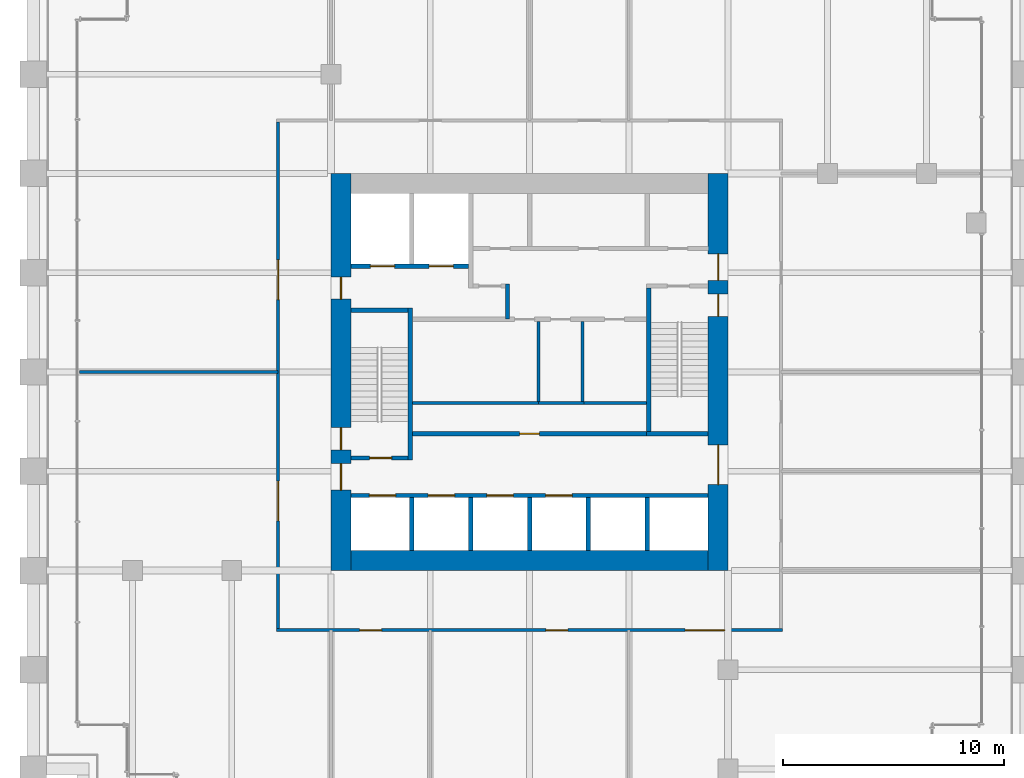
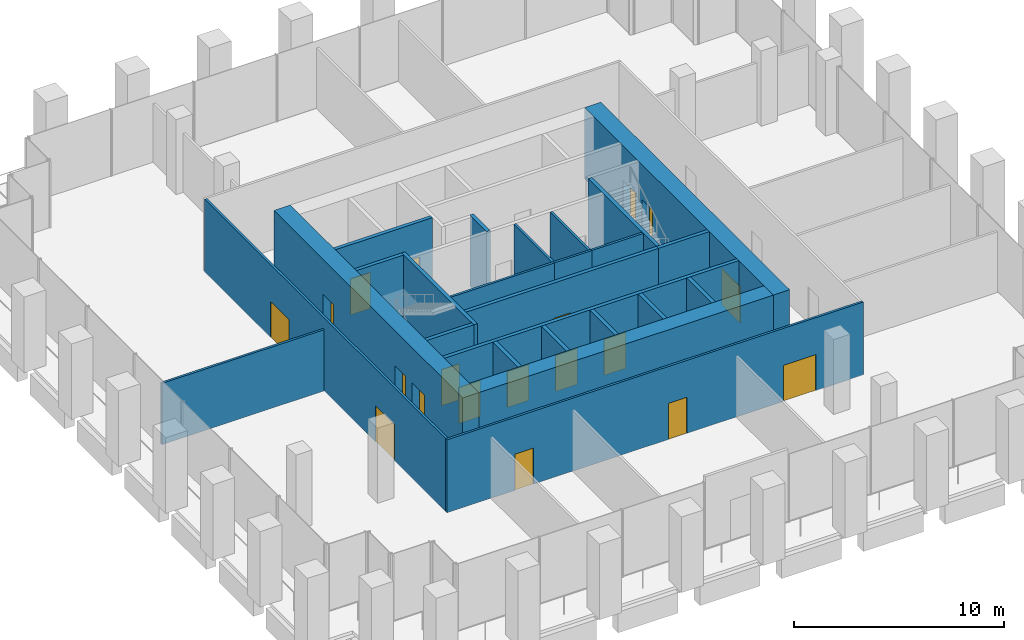
# One storey, part 30 of 36: 25 walls, 19 doors, 19 openings.
"""IFC4 building model written with IfcOpenShell, lengths in metres."""

from ifc_helpers import new_model, si_unit, direction, frame, frame_2d, origin, place, context, subcontext, project, spatial, rectangle, extrude, material, layer, layer_set, type_object, element, fill, save


model = new_model("IFC4")

# Units and contexts
model_context = context("Model", 3, precision=1e-05, world=origin(), true_north=direction((0.0, 1.0)))
body_context = subcontext(model_context, "Body", "Model", "MODEL_VIEW")
ifc_project = project(units=[si_unit("LENGTHUNIT", "METRE"), si_unit("AREAUNIT", "SQUARE_METRE"), si_unit("VOLUMEUNIT", "CUBIC_METRE"), si_unit("PLANEANGLEUNIT", "RADIAN"), si_unit("MASSUNIT", "GRAM", prefix="KILO")], contexts=[model_context])

# Site, building, storey
site_placement = place(None, origin())
site = spatial("IfcSite", under=ifc_project, at=site_placement, CompositionType="ELEMENT")
building_placement = place(site_placement, origin())
building = spatial("IfcBuilding", under=site, at=building_placement, Name="Altepetl Exchange Towers", CompositionType="ELEMENT")
storey_placement = place(building_placement, frame((0.0, 0.0, 43.0)))
storey = spatial("IfcBuildingStorey", under=building, at=storey_placement, Name="L09", CompositionType="ELEMENT", Elevation=43.0)

# Wall, openings, doors
ifc_material_1 = material(Name="Concrete C70/85", Category="concrete")
ifc_layer_1 = layer(ifc_material_1, 0.89990234375)
ifc_layer_set_1 = layer_set([ifc_layer_1], Name="Concrete C70/85")
wall_type_1 = type_object("IfcWallType", Name="Core wall 900 reinforced concrete", PredefinedType="SHEAR", material=ifc_layer_set_1)
wall_1_placement = place(storey_placement, frame((58.050048828125, 40.5, 0.0), z_axis=(0.0, 0.0, 1.0), x_axis=(0.0, 1.0, 0.0)))
wall_1 = element("IfcWall", 1, at=wall_1_placement, inside=storey, type_object=wall_type_1, Name="wall:A:L09:K-coreE", PredefinedType="SHEAR", context=body_context, shape_type="SweptSolid", body=[
    extrude(rectangle(XDim=18.0, YDim=0.89990234375, at=frame_2d((9.0, 0.0))), origin(), (0.0, 0.0, 1.0), 4.14990234375),
])
opening_1_placement = place(wall_1_placement, frame((13.14990234375, 0.0, 0.0)))
opening_1 = element("IfcOpeningElement", 2, at=opening_1_placement, cuts=wall_1, Name="Opening L09.A60", PredefinedType="OPENING", context=body_context, shape_type="SweptSolid", body=[
    extrude(rectangle(XDim=1.199951171875, YDim=2.10009765625, at=frame_2d((0.60009765625, 1.050048828125))), frame((0.0, 0.4599609375, 0.0), z_axis=(0.0, -1.0, 0.0), x_axis=(1.0, 0.0, 0.0)), (0.0, 0.0, 1.0), 0.919921875),
])
opening_2_placement = place(wall_1_placement, frame((3.89990234375, 0.0, 0.0)))
opening_2 = element("IfcOpeningElement", 3, at=opening_2_placement, cuts=wall_1, Name="Opening L09.A61", PredefinedType="OPENING", context=body_context, shape_type="SweptSolid", body=[
    extrude(rectangle(XDim=1.800048828125, YDim=2.10009765625, at=frame_2d((0.89990234375, 1.050048828125))), frame((0.0, 0.4599609375, 0.0), z_axis=(0.0, -1.0, 0.0), x_axis=(1.0, 0.0, 0.0)), (0.0, 0.0, 1.0), 0.919921875),
])
opening_3_placement = place(wall_1_placement, frame((11.52490234375, 0.0, 0.0)))
opening_3 = element("IfcOpeningElement", 4, at=opening_3_placement, cuts=wall_1, Name="Opening L09.A66", PredefinedType="OPENING", context=body_context, shape_type="SweptSolid", body=[
    extrude(rectangle(XDim=1.0, YDim=2.10009765625, at=frame_2d((0.5, 1.050048828125))), frame((0.0, 0.4599609375, 0.0), z_axis=(0.0, -1.0, 0.0), x_axis=(1.0, 0.0, 0.0)), (0.0, 0.0, 1.0), 0.919921875),
])
ifc_material_2 = material(Name="Steel and timber fire door", Category="steel")
door_type_1 = type_object("IfcDoorType", Name="Fire door 1000 x 2100 stair and lobby", OperationType="SINGLE_SWING_LEFT", PredefinedType="DOOR", material=ifc_material_2)
door_1_placement = place(opening_3_placement, origin())
door_1 = element("IfcDoor", 5, at=door_1_placement, inside=storey, type_object=door_type_1, Name="door:A:L09:K-dS2x", OperationType="SINGLE_SWING_RIGHT", OverallHeight=2.10009765625, OverallWidth=1.0, PredefinedType="DOOR", context=body_context, shape_type="SweptSolid", body=[
    extrude(rectangle(XDim=1.0, YDim=2.10009765625, at=frame_2d((0.5, 1.050048828125))), frame((0.0, 0.02490234375, 0.0), z_axis=(0.0, -1.0, 0.0), x_axis=(1.0, 0.0, 0.0)), (0.0, 0.0, 1.0), 0.050048828125),
])
fill(opening_3, door_1)
door_type_2 = type_object("IfcDoorType", Name="Fire door 1200 x 2100 lobby entry", OperationType="SINGLE_SWING_LEFT", PredefinedType="DOOR", material=ifc_material_2)
door_2_placement = place(opening_1_placement, origin())
door_2 = element("IfcDoor", 6, at=door_2_placement, inside=storey, type_object=door_type_2, Name="door:A:L09:K-dLNE", OperationType="SINGLE_SWING_RIGHT", OverallHeight=2.10009765625, OverallWidth=1.199951171875, PredefinedType="DOOR", context=body_context, shape_type="SweptSolid", body=[
    extrude(rectangle(XDim=1.199951171875, YDim=2.10009765625, at=frame_2d((0.60009765625, 1.050048828125))), frame((0.0, 0.02490234375, 0.0), z_axis=(0.0, -1.0, 0.0), x_axis=(1.0, 0.0, 0.0)), (0.0, 0.0, 1.0), 0.050048828125),
])
fill(opening_1, door_2)
door_type_3 = type_object("IfcDoorType", Name="Fire door 1800 x 2100 lobby entry", OperationType="DOUBLE_DOOR_SINGLE_SWING", PredefinedType="DOOR", material=ifc_material_2)
door_3_placement = place(opening_2_placement, origin())
door_3 = element("IfcDoor", 7, at=door_3_placement, inside=storey, type_object=door_type_3, Name="door:A:L09:K-dLSE", OperationType="DOUBLE_DOOR_SINGLE_SWING", OverallHeight=2.10009765625, OverallWidth=1.800048828125, PredefinedType="DOOR", context=body_context, shape_type="SweptSolid", body=[
    extrude(rectangle(XDim=1.800048828125, YDim=2.10009765625, at=frame_2d((0.89990234375, 1.050048828125))), frame((0.0, 0.02490234375, 0.0), z_axis=(0.0, -1.0, 0.0), x_axis=(1.0, 0.0, 0.0)), (0.0, 0.0, 1.0), 0.050048828125),
])
fill(opening_2, door_3)

# Wall
wall_2_placement = place(storey_placement, frame((41.39990234375, 40.949951171875, 0.0)))
element("IfcWall", 8, at=wall_2_placement, inside=storey, type_object=wall_type_1, Name="wall:A:L09:K-coreS", PredefinedType="SHEAR", context=body_context, shape_type="SweptSolid", body=[
    extrude(rectangle(XDim=16.2001953125, YDim=0.89990234375, at=frame_2d((8.10009765625, 0.0))), origin(), (0.0, 0.0, 1.0), 4.14990234375),
])

# Wall, openings, doors
wall_3_placement = place(storey_placement, frame((40.949951171875, 40.5, 0.0), z_axis=(0.0, 0.0, 1.0), x_axis=(0.0, 1.0, 0.0)))
wall_3 = element("IfcWall", 9, at=wall_3_placement, inside=storey, type_object=wall_type_1, Name="wall:A:L09:K-coreW", PredefinedType="SHEAR", context=body_context, shape_type="SweptSolid", body=[
    extrude(rectangle(XDim=18.0, YDim=0.89990234375, at=frame_2d((9.0, 0.0))), origin(), (0.0, 0.0, 1.0), 4.14990234375),
])
opening_4_placement = place(wall_3_placement, frame((3.64990234375, 0.0, 0.0)))
opening_4 = element("IfcOpeningElement", 10, at=opening_4_placement, cuts=wall_3, Name="Opening L09.A62", PredefinedType="OPENING", context=body_context, shape_type="SweptSolid", body=[
    extrude(rectangle(XDim=1.199951171875, YDim=2.10009765625, at=frame_2d((0.60009765625, 1.050048828125))), frame((0.0, 0.4599609375, 0.0), z_axis=(0.0, -1.0, 0.0), x_axis=(1.0, 0.0, 0.0)), (0.0, 0.0, 1.0), 0.919921875),
])
opening_5_placement = place(wall_3_placement, frame((5.47509765625, 0.0, 0.0)))
opening_5 = element("IfcOpeningElement", 11, at=opening_5_placement, cuts=wall_3, Name="Opening L09.A64", PredefinedType="OPENING", context=body_context, shape_type="SweptSolid", body=[
    extrude(rectangle(XDim=1.0, YDim=2.10009765625, at=frame_2d((0.5, 1.050048828125))), frame((0.0, 0.4599609375, 0.0), z_axis=(0.0, -1.0, 0.0), x_axis=(1.0, 0.0, 0.0)), (0.0, 0.0, 1.0), 0.919921875),
])
opening_6_placement = place(wall_3_placement, frame((12.300048828125, 0.0, 0.0)))
opening_6 = element("IfcOpeningElement", 12, at=opening_6_placement, cuts=wall_3, Name="Opening L09.A68", PredefinedType="OPENING", context=body_context, shape_type="SweptSolid", body=[
    extrude(rectangle(XDim=1.0, YDim=2.10009765625, at=frame_2d((0.5, 1.050048828125))), frame((0.0, 0.4599609375, 0.0), z_axis=(0.0, -1.0, 0.0), x_axis=(1.0, 0.0, 0.0)), (0.0, 0.0, 1.0), 0.919921875),
])
door_4_placement = place(opening_5_placement, frame((1.0, 0.0, 0.0), x_axis=(-1.0, 0.0, 0.0)))
door_4 = element("IfcDoor", 13, at=door_4_placement, inside=storey, type_object=door_type_1, Name="door:A:L09:K-dS1x", OperationType="SINGLE_SWING_RIGHT", OverallHeight=2.10009765625, OverallWidth=1.0, PredefinedType="DOOR", context=body_context, shape_type="SweptSolid", body=[
    extrude(rectangle(XDim=1.0, YDim=2.10009765625, at=frame_2d((0.5, 1.050048828125))), frame((0.0, 0.02490234375, 0.0), z_axis=(0.0, -1.0, 0.0), x_axis=(1.0, 0.0, 0.0)), (0.0, 0.0, 1.0), 0.050048828125),
])
fill(opening_5, door_4)
door_5_placement = place(opening_6_placement, frame((1.0, 0.0, 0.0), x_axis=(-1.0, 0.0, 0.0)))
door_5 = element("IfcDoor", 14, at=door_5_placement, inside=storey, type_object=door_type_1, Name="door:A:L09:K-dffW", OperationType="SINGLE_SWING_LEFT", OverallHeight=2.10009765625, OverallWidth=1.0, PredefinedType="DOOR", context=body_context, shape_type="SweptSolid", body=[
    extrude(rectangle(XDim=1.0, YDim=2.10009765625, at=frame_2d((0.5, 1.050048828125))), frame((0.0, 0.02490234375, 0.0), z_axis=(0.0, -1.0, 0.0), x_axis=(1.0, 0.0, 0.0)), (0.0, 0.0, 1.0), 0.050048828125),
])
fill(opening_6, door_5)
door_6_placement = place(opening_4_placement, frame((1.199951171875, 0.0, 0.0), x_axis=(-1.0, 0.0, 0.0)))
door_6 = element("IfcDoor", 15, at=door_6_placement, inside=storey, type_object=door_type_2, Name="door:A:L09:K-dLSW", OperationType="SINGLE_SWING_LEFT", OverallHeight=2.10009765625, OverallWidth=1.199951171875, PredefinedType="DOOR", context=body_context, shape_type="SweptSolid", body=[
    extrude(rectangle(XDim=1.199951171875, YDim=2.10009765625, at=frame_2d((0.60009765625, 1.050048828125))), frame((0.0, 0.02490234375, 0.0), z_axis=(0.0, -1.0, 0.0), x_axis=(1.0, 0.0, 0.0)), (0.0, 0.0, 1.0), 0.050048828125),
])
fill(opening_4, door_6)

# Wall
ifc_material_3 = material(Name="Concrete blockwork", Category="masonry")
ifc_layer_2 = layer(ifc_material_3, 0.199951171875)
ifc_layer_set_2 = layer_set([ifc_layer_2], Name="Concrete blockwork")
wall_type_2 = type_object("IfcWallType", Name="Lobby wall 200 blockwork", PredefinedType="PARTITIONING", material=ifc_layer_set_2)
wall_4_placement = place(storey_placement, frame((48.5, 51.89990234375, 0.0), z_axis=(0.0, 0.0, 1.0), x_axis=(0.0, 1.0, 0.0)))
element("IfcWall", 16, at=wall_4_placement, inside=storey, type_object=wall_type_2, Name="wall:A:L09:K-ffE", PredefinedType="PARTITIONING", context=body_context, shape_type="SweptSolid", body=[
    extrude(rectangle(XDim=1.60009765625, YDim=0.199951171875, at=frame_2d((0.800048828125, 0.0))), origin(), (0.0, 0.0, 1.0), 4.14990234375),
])

# Wall, opening, door
wall_5_placement = place(storey_placement, frame((44.199951171875, 46.699951171875, 0.0)))
wall_5 = element("IfcWall", 17, at=wall_5_placement, inside=storey, type_object=wall_type_2, Name="wall:A:L09:K-zoneS", PredefinedType="PARTITIONING", context=body_context, shape_type="SweptSolid", body=[
    extrude(rectangle(XDim=10.60009765625, YDim=0.199951171875, at=frame_2d((5.300048828125, 0.0))), origin(), (0.0, 0.0, 1.0), 4.14990234375),
])
opening_7_placement = place(wall_5_placement, frame((4.85009765625, 0.0, 0.0)))
opening_7 = element("IfcOpeningElement", 18, at=opening_7_placement, cuts=wall_5, Name="Opening L09.A72", PredefinedType="OPENING", context=body_context, shape_type="SweptSolid", body=[
    extrude(rectangle(XDim=0.89990234375, YDim=2.10009765625, at=frame_2d((0.449951171875, 1.050048828125))), frame((0.0, 0.10986328125, 0.0), z_axis=(0.0, -1.0, 0.0), x_axis=(1.0, 0.0, 0.0)), (0.0, 0.0, 1.0), 0.219970703125),
])
door_type_4 = type_object("IfcDoorType", Name="Fire door 900 x 2100 service room", OperationType="SINGLE_SWING_LEFT", PredefinedType="DOOR", material=ifc_material_2)
door_7_placement = place(opening_7_placement, origin())
door_7 = element("IfcDoor", 19, at=door_7_placement, inside=storey, type_object=door_type_4, Name="door:A:L09:K-dz1", OperationType="SINGLE_SWING_LEFT", OverallHeight=2.10009765625, OverallWidth=0.89990234375, PredefinedType="DOOR", context=body_context, shape_type="SweptSolid", body=[
    extrude(rectangle(XDim=0.89990234375, YDim=2.10009765625, at=frame_2d((0.449951171875, 1.050048828125))), frame((0.0, 0.02490234375, 0.0), z_axis=(0.0, -1.0, 0.0), x_axis=(1.0, 0.0, 0.0)), (0.0, 0.0, 1.0), 0.050048828125),
])
fill(opening_7, door_7)

# Walls
ifc_material_4 = material(Name="Gypsum board on steel studs", Category="steel")
ifc_layer_3 = layer(ifc_material_4, 0.125)
ifc_layer_set_3 = layer_set([ifc_layer_3], Name="Gypsum board on steel studs")
wall_type_3 = type_object("IfcWallType", Name="Partition 125 gypsum board on steel studs", PredefinedType="PARTITIONING", material=ifc_layer_set_3)
wall_6_placement = place(storey_placement, frame((49.96240234375, 48.10009765625, 0.0), z_axis=(0.0, 0.0, 1.0), x_axis=(-1.0, 0.0, 0.0)))
element("IfcWall", 20, at=wall_6_placement, inside=storey, type_object=wall_type_3, Name="wall:A:L09:K-zp1", PredefinedType="PARTITIONING", context=body_context, shape_type="SweptSolid", body=[
    extrude(rectangle(XDim=5.762451171875, YDim=0.125, at=frame_2d((2.88134765625, 0.0))), origin(), (0.0, 0.0, 1.0), 4.14990234375),
])
wall_7_placement = place(storey_placement, frame((51.96240234375, 48.10009765625, 0.0), z_axis=(0.0, 0.0, 1.0), x_axis=(-1.0, 0.0, 0.0)))
element("IfcWall", 21, at=wall_7_placement, inside=storey, type_object=wall_type_3, Name="wall:A:L09:K-zp2", PredefinedType="PARTITIONING", context=body_context, shape_type="SweptSolid", body=[
    extrude(rectangle(XDim=2.0625, YDim=0.125, at=frame_2d((1.03125, 0.0))), origin(), (0.0, 0.0, 1.0), 4.14990234375),
])
wall_8_placement = place(storey_placement, frame((49.89990234375, 48.16259765625, 0.0), z_axis=(0.0, 0.0, 1.0), x_axis=(0.0, 1.0, 0.0)))
element("IfcWall", 22, at=wall_8_placement, inside=storey, type_object=wall_type_3, Name="wall:A:L09:K-zp3", PredefinedType="PARTITIONING", context=body_context, shape_type="SweptSolid", body=[
    extrude(rectangle(XDim=3.637451171875, YDim=0.125, at=frame_2d((1.81884765625, 0.0))), origin(), (0.0, 0.0, 1.0), 4.14990234375),
])
wall_9_placement = place(storey_placement, frame((54.800048828125, 48.10009765625, 0.0), z_axis=(0.0, 0.0, 1.0), x_axis=(-1.0, 0.0, 0.0)))
element("IfcWall", 23, at=wall_9_placement, inside=storey, type_object=wall_type_3, Name="wall:A:L09:K-zp4", PredefinedType="PARTITIONING", context=body_context, shape_type="SweptSolid", body=[
    extrude(rectangle(XDim=2.900146484375, YDim=0.125, at=frame_2d((1.4501953125, 0.0))), origin(), (0.0, 0.0, 1.0), 4.14990234375),
])
wall_10_placement = place(storey_placement, frame((51.89990234375, 48.16259765625, 0.0), z_axis=(0.0, 0.0, 1.0), x_axis=(0.0, 1.0, 0.0)))
element("IfcWall", 24, at=wall_10_placement, inside=storey, type_object=wall_type_3, Name="wall:A:L09:K-zp5", PredefinedType="PARTITIONING", context=body_context, shape_type="SweptSolid", body=[
    extrude(rectangle(XDim=3.637451171875, YDim=0.125, at=frame_2d((1.81884765625, 0.0))), origin(), (0.0, 0.0, 1.0), 4.14990234375),
])

# Wall, openings, doors
wall_11_placement = place(storey_placement, frame((38.03759765625, 37.800048828125, 0.0)))
wall_11 = element("IfcWall", 25, at=wall_11_placement, inside=storey, type_object=wall_type_3, Name="wall:A:L09:P01", PredefinedType="PARTITIONING", context=body_context, shape_type="SweptSolid", body=[
    extrude(rectangle(XDim=22.9248046875, YDim=0.125, at=frame_2d((11.46240234375, 0.0))), origin(), (0.0, 0.0, 1.0), 4.25),
])
opening_8_placement = place(wall_11_placement, frame((3.757568359375, 0.0, 0.0)))
opening_8 = element("IfcOpeningElement", 26, at=opening_8_placement, cuts=wall_11, Name="Opening L09.A02", PredefinedType="OPENING", context=body_context, shape_type="SweptSolid", body=[
    extrude(rectangle(XDim=1.0, YDim=2.10009765625, at=frame_2d((0.5, 1.050048828125))), frame((0.0, 0.072509765625, 0.0), z_axis=(0.0, -1.0, 0.0), x_axis=(1.0, 0.0, 0.0)), (0.0, 0.0, 1.0), 0.14501953125),
])
opening_9_placement = place(wall_11_placement, frame((12.20458984375, 0.0, 0.0)))
opening_9 = element("IfcOpeningElement", 27, at=opening_9_placement, cuts=wall_11, Name="Opening L09.A03", PredefinedType="OPENING", context=body_context, shape_type="SweptSolid", body=[
    extrude(rectangle(XDim=1.0, YDim=2.10009765625, at=frame_2d((0.5, 1.050048828125))), frame((0.0, 0.072509765625, 0.0), z_axis=(0.0, -1.0, 0.0), x_axis=(1.0, 0.0, 0.0)), (0.0, 0.0, 1.0), 0.14501953125),
])
opening_10_placement = place(wall_11_placement, frame((18.512451171875, 0.0, 0.0)))
opening_10 = element("IfcOpeningElement", 28, at=opening_10_placement, cuts=wall_11, Name="Opening L09.A04", PredefinedType="OPENING", context=body_context, shape_type="SweptSolid", body=[
    extrude(rectangle(XDim=1.800048828125, YDim=2.10009765625, at=frame_2d((0.89990234375, 1.050048828125))), frame((0.0, 0.072509765625, 0.0), z_axis=(0.0, -1.0, 0.0), x_axis=(1.0, 0.0, 0.0)), (0.0, 0.0, 1.0), 0.14501953125),
])
door_type_5 = type_object("IfcDoorType", Name="Fire door 1000 x 2100 single leaf", OperationType="SINGLE_SWING_LEFT", PredefinedType="DOOR", material=ifc_material_2)
door_8_placement = place(opening_8_placement, frame((1.0, 0.0, 0.0), x_axis=(-1.0, 0.0, 0.0)))
door_8 = element("IfcDoor", 29, at=door_8_placement, inside=storey, type_object=door_type_5, Name="door:A:L09:02", OperationType="SINGLE_SWING_RIGHT", OverallHeight=2.10009765625, OverallWidth=1.0, PredefinedType="DOOR", context=body_context, shape_type="SweptSolid", body=[
    extrude(rectangle(XDim=1.0, YDim=2.10009765625, at=frame_2d((0.5, 1.050048828125))), frame((0.0, 0.02490234375, 0.0), z_axis=(0.0, -1.0, 0.0), x_axis=(1.0, 0.0, 0.0)), (0.0, 0.0, 1.0), 0.050048828125),
])
fill(opening_8, door_8)
door_9_placement = place(opening_9_placement, frame((1.0, 0.0, 0.0), x_axis=(-1.0, 0.0, 0.0)))
door_9 = element("IfcDoor", 30, at=door_9_placement, inside=storey, type_object=door_type_5, Name="door:A:L09:03", OperationType="SINGLE_SWING_LEFT", OverallHeight=2.10009765625, OverallWidth=1.0, PredefinedType="DOOR", context=body_context, shape_type="SweptSolid", body=[
    extrude(rectangle(XDim=1.0, YDim=2.10009765625, at=frame_2d((0.5, 1.050048828125))), frame((0.0, 0.02490234375, 0.0), z_axis=(0.0, -1.0, 0.0), x_axis=(1.0, 0.0, 0.0)), (0.0, 0.0, 1.0), 0.050048828125),
])
fill(opening_9, door_9)
door_type_6 = type_object("IfcDoorType", Name="Fire door 1800 x 2100 double leaf", OperationType="DOUBLE_DOOR_SINGLE_SWING", PredefinedType="DOOR", material=ifc_material_2)
door_10_placement = place(opening_10_placement, frame((1.800048828125, 0.0, 0.0), x_axis=(-1.0, 0.0, 0.0)))
door_10 = element("IfcDoor", 31, at=door_10_placement, inside=storey, type_object=door_type_6, Name="door:A:L09:04", OperationType="DOUBLE_DOOR_SINGLE_SWING", OverallHeight=2.10009765625, OverallWidth=1.800048828125, PredefinedType="DOOR", context=body_context, shape_type="SweptSolid", body=[
    extrude(rectangle(XDim=1.800048828125, YDim=2.10009765625, at=frame_2d((0.89990234375, 1.050048828125))), frame((0.0, 0.02490234375, 0.0), z_axis=(0.0, -1.0, 0.0), x_axis=(1.0, 0.0, 0.0)), (0.0, 0.0, 1.0), 0.050048828125),
])
fill(opening_10, door_10)

# Wall
wall_12_placement = place(storey_placement, frame((29.10009765625, 49.5, 0.0)))
element("IfcWall", 32, at=wall_12_placement, inside=storey, type_object=wall_type_3, Name="wall:A:L09:P04", PredefinedType="PARTITIONING", context=body_context, shape_type="SweptSolid", body=[
    extrude(rectangle(XDim=9.0, YDim=0.125, at=frame_2d((4.5, 0.0))), origin(), (0.0, 0.0, 1.0), 3.56591796875),
])

# Wall, openings, doors
wall_13_placement = place(storey_placement, frame((38.10009765625, 37.862548828125, 0.0), z_axis=(0.0, 0.0, 1.0), x_axis=(0.0, 1.0, 0.0)))
wall_13 = element("IfcWall", 33, at=wall_13_placement, inside=storey, type_object=wall_type_3, Name="wall:A:L09:P10", PredefinedType="PARTITIONING", context=body_context, shape_type="SweptSolid", body=[
    extrude(rectangle(XDim=22.974853515625, YDim=0.125, at=frame_2d((11.4873046875, 0.0))), origin(), (0.0, 0.0, 1.0), 4.25),
])
opening_11_placement = place(wall_13_placement, frame((4.887451171875, 0.0, 0.0)))
opening_11 = element("IfcOpeningElement", 34, at=opening_11_placement, cuts=wall_13, Name="Opening L09.A01", PredefinedType="OPENING", context=body_context, shape_type="SweptSolid", body=[
    extrude(rectangle(XDim=1.800048828125, YDim=2.10009765625, at=frame_2d((0.89990234375, 1.050048828125))), frame((0.0, 0.072509765625, 0.0), z_axis=(0.0, -1.0, 0.0), x_axis=(1.0, 0.0, 0.0)), (0.0, 0.0, 1.0), 0.14501953125),
])
opening_12_placement = place(wall_13_placement, frame((14.91552734375, 0.0, 0.0)))
opening_12 = element("IfcOpeningElement", 35, at=opening_12_placement, cuts=wall_13, Name="Opening L09.A11", PredefinedType="OPENING", context=body_context, shape_type="SweptSolid", body=[
    extrude(rectangle(XDim=1.800048828125, YDim=2.10009765625, at=frame_2d((0.89990234375, 1.050048828125))), frame((0.0, 0.072509765625, 0.0), z_axis=(0.0, -1.0, 0.0), x_axis=(1.0, 0.0, 0.0)), (0.0, 0.0, 1.0), 0.14501953125),
])
door_11_placement = place(opening_11_placement, origin())
door_11 = element("IfcDoor", 36, at=door_11_placement, inside=storey, type_object=door_type_6, Name="door:A:L09:01", OperationType="DOUBLE_DOOR_SINGLE_SWING", OverallHeight=2.10009765625, OverallWidth=1.800048828125, PredefinedType="DOOR", context=body_context, shape_type="SweptSolid", body=[
    extrude(rectangle(XDim=1.800048828125, YDim=2.10009765625, at=frame_2d((0.89990234375, 1.050048828125))), frame((0.0, 0.02490234375, 0.0), z_axis=(0.0, -1.0, 0.0), x_axis=(1.0, 0.0, 0.0)), (0.0, 0.0, 1.0), 0.050048828125),
])
fill(opening_11, door_11)
door_12_placement = place(opening_12_placement, origin())
door_12 = element("IfcDoor", 37, at=door_12_placement, inside=storey, type_object=door_type_6, Name="door:A:L09:11", OperationType="DOUBLE_DOOR_SINGLE_SWING", OverallHeight=2.10009765625, OverallWidth=1.800048828125, PredefinedType="DOOR", context=body_context, shape_type="SweptSolid", body=[
    extrude(rectangle(XDim=1.800048828125, YDim=2.10009765625, at=frame_2d((0.89990234375, 1.050048828125))), frame((0.0, 0.02490234375, 0.0), z_axis=(0.0, -1.0, 0.0), x_axis=(1.0, 0.0, 0.0)), (0.0, 0.0, 1.0), 0.050048828125),
])
fill(opening_12, door_12)

# Walls
ifc_material_5 = material(Name="Concrete C40/50", Category="concrete")
ifc_layer_4 = layer(ifc_material_5, 0.199951171875)
ifc_layer_set_4 = layer_set([ifc_layer_4], Name="Concrete C40/50")
wall_type_4 = type_object("IfcWallType", Name="Shaft wall 200 reinforced concrete", PredefinedType="SHEAR", material=ifc_layer_set_4)
for number, where, z_axis, x_axis, name in (
    (38, (44.166748046875, 41.39990234375, 0.0), (0.0, 0.0, 1.0), (0.0, 1.0, 0.0), "wall:A:L09:K-divS1"),
    (39, (46.833251953125, 41.39990234375, 0.0), (0.0, 0.0, 1.0), (0.0, 1.0, 0.0), "wall:A:L09:K-divS2"),
    (40, (49.5, 41.39990234375, 0.0), (0.0, 0.0, 1.0), (0.0, 1.0, 0.0), "wall:A:L09:K-divS3"),
    (41, (52.166748046875, 41.39990234375, 0.0), (0.0, 0.0, 1.0), (0.0, 1.0, 0.0), "wall:A:L09:K-divS4"),
    (42, (54.833251953125, 41.39990234375, 0.0), (0.0, 0.0, 1.0), (0.0, 1.0, 0.0), "wall:A:L09:K-divS5"),
):
    element("IfcWall", number, at=place(storey_placement, frame(where, z_axis=z_axis, x_axis=x_axis)), inside=storey, type_object=wall_type_4, Name=name, PredefinedType="SHEAR", context=body_context, shape_type="SweptSolid", body=[
        extrude(rectangle(XDim=2.400146484375, YDim=0.199951171875, at=frame_2d((1.2001953125, 0.0))), origin(), (0.0, 0.0, 1.0), 4.14990234375),
    ])

# Wall, openings, doors
wall_14_placement = place(storey_placement, frame((41.39990234375, 54.300048828125, 0.0)))
wall_14 = element("IfcWall", 43, at=wall_14_placement, inside=storey, type_object=wall_type_4, Name="wall:A:L09:K-frontNd", PredefinedType="SHEAR", context=body_context, shape_type="SweptSolid", body=[
    extrude(rectangle(XDim=5.33349609375, YDim=0.199951171875, at=frame_2d((2.666748046875, 0.0))), origin(), (0.0, 0.0, 1.0), 4.14990234375),
])
opening_13_placement = place(wall_14_placement, frame((0.88330078125, 0.0, 0.0)))
opening_13 = element("IfcOpeningElement", 44, at=opening_13_placement, cuts=wall_14, Name="Opening L09.A76", PredefinedType="OPENING", context=body_context, shape_type="SweptSolid", body=[
    extrude(rectangle(XDim=1.10009765625, YDim=2.10009765625, at=frame_2d((0.550048828125, 1.050048828125))), frame((0.0, 0.10986328125, 0.0), z_axis=(0.0, -1.0, 0.0), x_axis=(1.0, 0.0, 0.0)), (0.0, 0.0, 1.0), 0.219970703125),
])
opening_14_placement = place(wall_14_placement, frame((3.550048828125, 0.0, 0.0)))
opening_14 = element("IfcOpeningElement", 45, at=opening_14_placement, cuts=wall_14, Name="Opening L09.A77", PredefinedType="OPENING", context=body_context, shape_type="SweptSolid", body=[
    extrude(rectangle(XDim=1.10009765625, YDim=2.10009765625, at=frame_2d((0.550048828125, 1.050048828125))), frame((0.0, 0.10986328125, 0.0), z_axis=(0.0, -1.0, 0.0), x_axis=(1.0, 0.0, 0.0)), (0.0, 0.0, 1.0), 0.219970703125),
])
ifc_material_6 = material(Name="Stainless steel", Category="steel")
door_type_7 = type_object("IfcDoorType", Name="Lift landing door 1100 x 2100", OperationType="SLIDING_TO_LEFT", PredefinedType="DOOR", material=ifc_material_6)
door_13_placement = place(opening_13_placement, origin())
door_13 = element("IfcDoor", 46, at=door_13_placement, inside=storey, type_object=door_type_7, Name="Landing door FFL1", OperationType="SLIDING_TO_LEFT", OverallHeight=2.10009765625, OverallWidth=1.10009765625, PredefinedType="DOOR", context=body_context, shape_type="SweptSolid", body=[
    extrude(rectangle(XDim=1.10009765625, YDim=2.10009765625, at=frame_2d((0.550048828125, 1.050048828125))), frame((0.0, 0.02490234375, 0.0), z_axis=(0.0, -1.0, 0.0), x_axis=(1.0, 0.0, 0.0)), (0.0, 0.0, 1.0), 0.050048828125),
])
fill(opening_13, door_13)
door_14_placement = place(opening_14_placement, origin())
door_14 = element("IfcDoor", 47, at=door_14_placement, inside=storey, type_object=door_type_7, Name="Landing door FFL2", OperationType="SLIDING_TO_LEFT", OverallHeight=2.10009765625, OverallWidth=1.10009765625, PredefinedType="DOOR", context=body_context, shape_type="SweptSolid", body=[
    extrude(rectangle(XDim=1.10009765625, YDim=2.10009765625, at=frame_2d((0.550048828125, 1.050048828125))), frame((0.0, 0.02490234375, 0.0), z_axis=(0.0, -1.0, 0.0), x_axis=(1.0, 0.0, 0.0)), (0.0, 0.0, 1.0), 0.050048828125),
])
fill(opening_14, door_14)

wall_15_placement = place(storey_placement, frame((41.39990234375, 43.89990234375, 0.0)))
wall_15 = element("IfcWall", 48, at=wall_15_placement, inside=storey, type_object=wall_type_4, Name="wall:A:L09:K-frontS", PredefinedType="SHEAR", context=body_context, shape_type="SweptSolid", body=[
    extrude(rectangle(XDim=16.2001953125, YDim=0.199951171875, at=frame_2d((8.10009765625, 0.0))), origin(), (0.0, 0.0, 1.0), 4.14990234375),
])
opening_15_placement = place(wall_15_placement, frame((0.833251953125, 0.0, 0.0)))
opening_15 = element("IfcOpeningElement", 49, at=opening_15_placement, cuts=wall_15, Name="Opening L09.A78", PredefinedType="OPENING", context=body_context, shape_type="SweptSolid", body=[
    extrude(rectangle(XDim=1.199951171875, YDim=2.10009765625, at=frame_2d((0.60009765625, 1.050048828125))), frame((0.0, 0.10986328125, 0.0), z_axis=(0.0, -1.0, 0.0), x_axis=(1.0, 0.0, 0.0)), (0.0, 0.0, 1.0), 0.219970703125),
])
opening_16_placement = place(wall_15_placement, frame((3.5, 0.0, 0.0)))
opening_16 = element("IfcOpeningElement", 50, at=opening_16_placement, cuts=wall_15, Name="Opening L09.A79", PredefinedType="OPENING", context=body_context, shape_type="SweptSolid", body=[
    extrude(rectangle(XDim=1.199951171875, YDim=2.10009765625, at=frame_2d((0.60009765625, 1.050048828125))), frame((0.0, 0.10986328125, 0.0), z_axis=(0.0, -1.0, 0.0), x_axis=(1.0, 0.0, 0.0)), (0.0, 0.0, 1.0), 0.219970703125),
])
opening_17_placement = place(wall_15_placement, frame((6.166748046875, 0.0, 0.0)))
opening_17 = element("IfcOpeningElement", 51, at=opening_17_placement, cuts=wall_15, Name="Opening L09.A80", PredefinedType="OPENING", context=body_context, shape_type="SweptSolid", body=[
    extrude(rectangle(XDim=1.199951171875, YDim=2.10009765625, at=frame_2d((0.60009765625, 1.050048828125))), frame((0.0, 0.10986328125, 0.0), z_axis=(0.0, -1.0, 0.0), x_axis=(1.0, 0.0, 0.0)), (0.0, 0.0, 1.0), 0.219970703125),
])
opening_18_placement = place(wall_15_placement, frame((8.833251953125, 0.0, 0.0)))
opening_18 = element("IfcOpeningElement", 52, at=opening_18_placement, cuts=wall_15, Name="Opening L09.A81", PredefinedType="OPENING", context=body_context, shape_type="SweptSolid", body=[
    extrude(rectangle(XDim=1.199951171875, YDim=2.10009765625, at=frame_2d((0.60009765625, 1.050048828125))), frame((0.0, 0.10986328125, 0.0), z_axis=(0.0, -1.0, 0.0), x_axis=(1.0, 0.0, 0.0)), (0.0, 0.0, 1.0), 0.219970703125),
])
door_type_8 = type_object("IfcDoorType", Name="Lift landing door 1200 x 2100", OperationType="SLIDING_TO_LEFT", PredefinedType="DOOR", material=ifc_material_6)
door_15_placement = place(opening_15_placement, origin())
door_15 = element("IfcDoor", 53, at=door_15_placement, inside=storey, type_object=door_type_8, Name="Landing door P1", OperationType="SLIDING_TO_LEFT", OverallHeight=2.10009765625, OverallWidth=1.199951171875, PredefinedType="DOOR", context=body_context, shape_type="SweptSolid", body=[
    extrude(rectangle(XDim=1.199951171875, YDim=2.10009765625, at=frame_2d((0.60009765625, 1.050048828125))), frame((0.0, 0.02490234375, 0.0), z_axis=(0.0, -1.0, 0.0), x_axis=(1.0, 0.0, 0.0)), (0.0, 0.0, 1.0), 0.050048828125),
])
fill(opening_15, door_15)
door_16_placement = place(opening_16_placement, origin())
door_16 = element("IfcDoor", 54, at=door_16_placement, inside=storey, type_object=door_type_8, Name="Landing door P2", OperationType="SLIDING_TO_LEFT", OverallHeight=2.10009765625, OverallWidth=1.199951171875, PredefinedType="DOOR", context=body_context, shape_type="SweptSolid", body=[
    extrude(rectangle(XDim=1.199951171875, YDim=2.10009765625, at=frame_2d((0.60009765625, 1.050048828125))), frame((0.0, 0.02490234375, 0.0), z_axis=(0.0, -1.0, 0.0), x_axis=(1.0, 0.0, 0.0)), (0.0, 0.0, 1.0), 0.050048828125),
])
fill(opening_16, door_16)
door_17_placement = place(opening_17_placement, origin())
door_17 = element("IfcDoor", 55, at=door_17_placement, inside=storey, type_object=door_type_8, Name="Landing door P3", OperationType="SLIDING_TO_LEFT", OverallHeight=2.10009765625, OverallWidth=1.199951171875, PredefinedType="DOOR", context=body_context, shape_type="SweptSolid", body=[
    extrude(rectangle(XDim=1.199951171875, YDim=2.10009765625, at=frame_2d((0.60009765625, 1.050048828125))), frame((0.0, 0.02490234375, 0.0), z_axis=(0.0, -1.0, 0.0), x_axis=(1.0, 0.0, 0.0)), (0.0, 0.0, 1.0), 0.050048828125),
])
fill(opening_17, door_17)
door_18_placement = place(opening_18_placement, origin())
door_18 = element("IfcDoor", 56, at=door_18_placement, inside=storey, type_object=door_type_8, Name="Landing door P4", OperationType="SLIDING_TO_LEFT", OverallHeight=2.10009765625, OverallWidth=1.199951171875, PredefinedType="DOOR", context=body_context, shape_type="SweptSolid", body=[
    extrude(rectangle(XDim=1.199951171875, YDim=2.10009765625, at=frame_2d((0.60009765625, 1.050048828125))), frame((0.0, 0.02490234375, 0.0), z_axis=(0.0, -1.0, 0.0), x_axis=(1.0, 0.0, 0.0)), (0.0, 0.0, 1.0), 0.050048828125),
])
fill(opening_18, door_18)

# Walls
ifc_layer_5 = layer(ifc_material_5, 0.199951171875)
ifc_layer_set_5 = layer_set([ifc_layer_5], Name="Concrete C40/50")
wall_type_5 = type_object("IfcWallType", Name="Stair wall 200 reinforced concrete", PredefinedType="SHEAR", material=ifc_layer_set_5)
wall_16_placement = place(storey_placement, frame((44.10009765625, 45.5, 0.0), z_axis=(0.0, 0.0, 1.0), x_axis=(0.0, 1.0, 0.0)))
element("IfcWall", 57, at=wall_16_placement, inside=storey, type_object=wall_type_5, Name="wall:A:L09:K-stS1E", PredefinedType="SHEAR", context=body_context, shape_type="SweptSolid", body=[
    extrude(rectangle(XDim=6.89990234375, YDim=0.199951171875, at=frame_2d((3.449951171875, 0.0))), origin(), (0.0, 0.0, 1.0), 4.14990234375),
])
wall_17_placement = place(storey_placement, frame((41.39990234375, 52.300048828125, 0.0)))
element("IfcWall", 58, at=wall_17_placement, inside=storey, type_object=wall_type_5, Name="wall:A:L09:K-stS1N", PredefinedType="SHEAR", context=body_context, shape_type="SweptSolid", body=[
    extrude(rectangle(XDim=2.60009765625, YDim=0.199951171875, at=frame_2d((1.300048828125, 0.0))), origin(), (0.0, 0.0, 1.0), 4.14990234375),
])

# Wall, opening, door
wall_18_placement = place(storey_placement, frame((41.39990234375, 45.60009765625, 0.0)))
wall_18 = element("IfcWall", 59, at=wall_18_placement, inside=storey, type_object=wall_type_5, Name="wall:A:L09:K-stS1S", PredefinedType="SHEAR", context=body_context, shape_type="SweptSolid", body=[
    extrude(rectangle(XDim=2.60009765625, YDim=0.199951171875, at=frame_2d((1.300048828125, 0.0))), origin(), (0.0, 0.0, 1.0), 4.14990234375),
])
opening_19_placement = place(wall_18_placement, frame((0.85009765625, 0.0, 0.0)))
opening_19 = element("IfcOpeningElement", 60, at=opening_19_placement, cuts=wall_18, Name="Opening L09.A63", PredefinedType="OPENING", context=body_context, shape_type="SweptSolid", body=[
    extrude(rectangle(XDim=1.0, YDim=2.10009765625, at=frame_2d((0.5, 1.050048828125))), frame((0.0, 0.10986328125, 0.0), z_axis=(0.0, -1.0, 0.0), x_axis=(1.0, 0.0, 0.0)), (0.0, 0.0, 1.0), 0.219970703125),
])
door_19_placement = place(opening_19_placement, origin())
door_19 = element("IfcDoor", 61, at=door_19_placement, inside=storey, type_object=door_type_1, Name="door:A:L09:K-dS1in", OperationType="SINGLE_SWING_RIGHT", OverallHeight=2.10009765625, OverallWidth=1.0, PredefinedType="DOOR", context=body_context, shape_type="SweptSolid", body=[
    extrude(rectangle(XDim=1.0, YDim=2.10009765625, at=frame_2d((0.5, 1.050048828125))), frame((0.0, 0.02490234375, 0.0), z_axis=(0.0, -1.0, 0.0), x_axis=(1.0, 0.0, 0.0)), (0.0, 0.0, 1.0), 0.050048828125),
])
fill(opening_19, door_19)

# Walls
wall_19_placement = place(storey_placement, frame((54.800048828125, 46.699951171875, 0.0)))
element("IfcWall", 62, at=wall_19_placement, inside=storey, type_object=wall_type_5, Name="wall:A:L09:K-stS2S", PredefinedType="SHEAR", context=body_context, shape_type="SweptSolid", body=[
    extrude(rectangle(XDim=2.800048828125, YDim=0.199951171875, at=frame_2d((1.39990234375, 0.0))), origin(), (0.0, 0.0, 1.0), 4.14990234375),
])
wall_20_placement = place(storey_placement, frame((54.89990234375, 46.800048828125, 0.0), z_axis=(0.0, 0.0, 1.0), x_axis=(0.0, 1.0, 0.0)))
element("IfcWall", 63, at=wall_20_placement, inside=storey, type_object=wall_type_5, Name="wall:A:L09:K-stS2W", PredefinedType="SHEAR", context=body_context, shape_type="SweptSolid", body=[
    extrude(rectangle(XDim=6.5, YDim=0.199951171875, at=frame_2d((3.25, 0.0))), origin(), (0.0, 0.0, 1.0), 4.14990234375),
])

save(model, "model.ifc")
